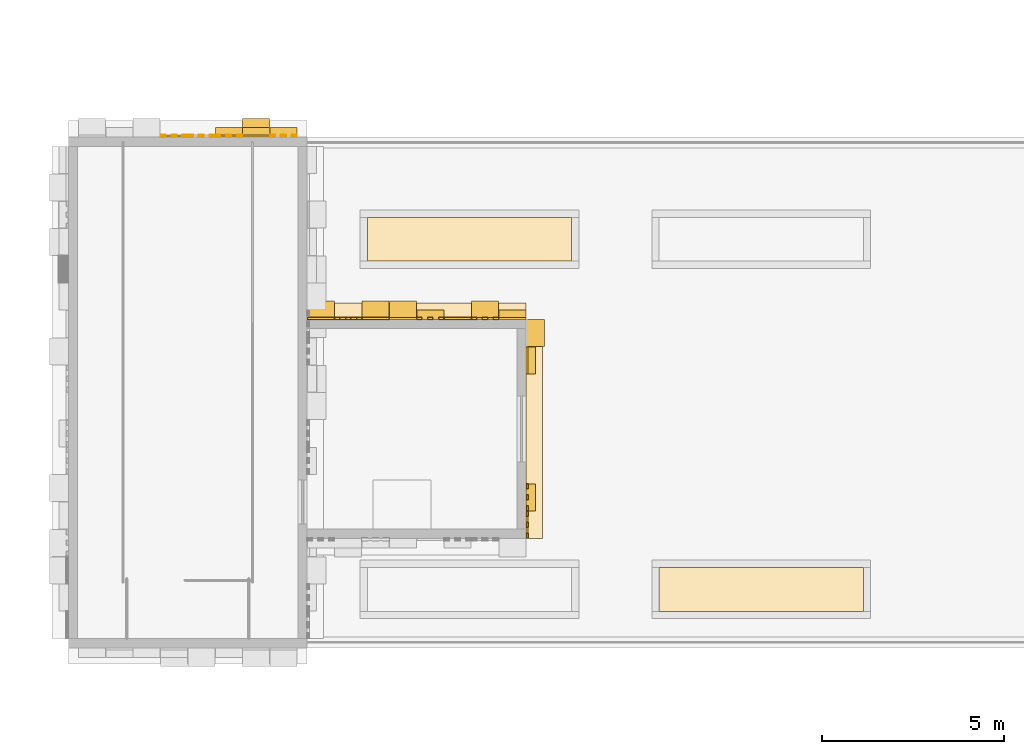
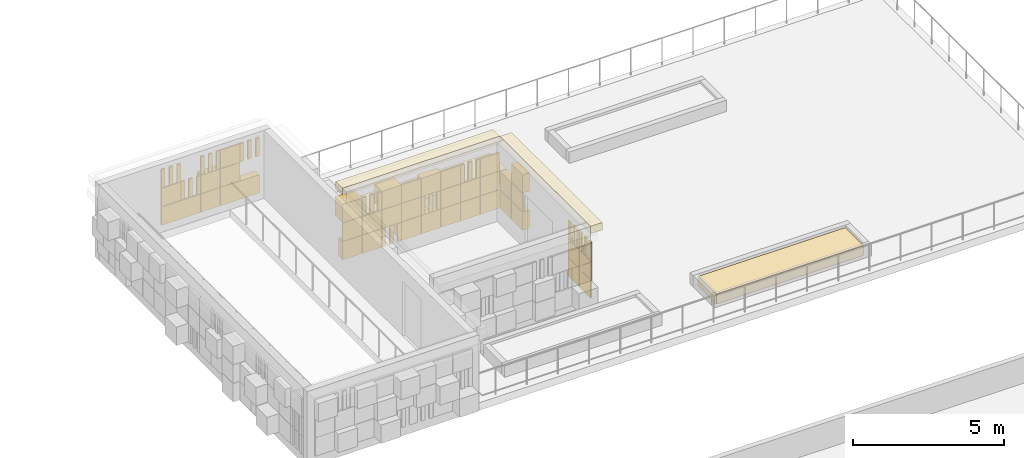
# One storey, part 82 of 98: 18 coverings.
"""IFC4 building model written with IfcOpenShell, lengths in metres."""

from ifc_helpers import new_model, si_unit, direction, frame, origin, origin_2d, place, context, subcontext, project, spatial, polyline, rectangle, outline, extrude, material, layer, layer_set, type_object, element, save


model = new_model("IFC4")

# Units and contexts
model_context = context("Model", 3, precision=1e-05, world=origin(), true_north=direction((0.0, 1.0)))
body_context = subcontext(model_context, "Body", "Model", "MODEL_VIEW")
ifc_project = project(units=[si_unit("LENGTHUNIT", "METRE"), si_unit("AREAUNIT", "SQUARE_METRE"), si_unit("VOLUMEUNIT", "CUBIC_METRE"), si_unit("PLANEANGLEUNIT", "RADIAN"), si_unit("MASSUNIT", "GRAM", prefix="KILO")], contexts=[model_context])

# Site, building, storey
site_placement = place(None, origin())
site = spatial("IfcSite", under=ifc_project, at=site_placement, CompositionType="ELEMENT")
building_placement = place(site_placement, origin())
building = spatial("IfcBuilding", under=site, at=building_placement, Name="Sun Court Science Centre", CompositionType="ELEMENT")
storey_placement = place(building_placement, frame((0.0, 0.0, 15.75)))
storey = spatial("IfcBuildingStorey", under=building, at=storey_placement, Name="L03", CompositionType="ELEMENT", Elevation=15.75)

# Coverings
ifc_material_1 = material(Name="Planting soil and lawn")
ifc_layer_1 = layer(ifc_material_1, 0.199951171875)
ifc_layer_set_1 = layer_set([ifc_layer_1], Name="Planting soil and lawn")
covering_type_1 = type_object("IfcCoveringType", Name="Planting bed 200", PredefinedType="FLOORING", material=ifc_layer_set_1)
covering_1_placement = place(storey_placement, origin())
element("IfcCovering", 1, at=covering_1_placement, inside=storey, type_object=covering_type_1, Name="Roof garden planting bed", PredefinedType="FLOORING", context=body_context, shape_type="SweptSolid", body=[
    extrude(outline(polyline([(44.199951171875, 46.60009765625), (49.800048828125, 46.60009765625), (49.800048828125, 47.800048828125), (44.199951171875, 47.800048828125), (44.199951171875, 46.60009765625)])), origin(), (0.0, 0.0, 1.0), 0.39990234375),
])
covering_2_placement = place(storey_placement, origin())
element("IfcCovering", 2, at=covering_2_placement, inside=storey, type_object=covering_type_1, Name="Roof garden planting bed", PredefinedType="FLOORING", context=body_context, shape_type="SweptSolid", body=[
    extrude(outline(polyline([(52.199951171875, 37.0), (57.800048828125, 37.0), (57.800048828125, 38.199951171875), (52.199951171875, 38.199951171875), (52.199951171875, 37.0)])), origin(), (0.0, 0.0, 1.0), 0.39990234375),
])
ifc_material_2 = material(Name="Terracotta panel", Category="masonry")
ifc_layer_2 = layer(ifc_material_2, 0.449951171875)
ifc_layer_set_2 = layer_set([ifc_layer_2], Name="Terracotta panel")
covering_type_2 = type_object("IfcCoveringType", Name="Terracotta cornice 450", PredefinedType="CLADDING", material=ifc_layer_set_2)
covering_3_placement = place(storey_placement, frame((0.0, 0.0, -15.75)))
element("IfcCovering", 3, at=covering_3_placement, inside=storey, type_object=covering_type_2, Name="Terracotta cornice east party wall L03", PredefinedType="CLADDING", context=body_context, shape_type="SweptSolid", body=[
    extrude(rectangle(XDim=6.0, YDim=0.449951171875, at=origin_2d()), frame((48.77490234375, 42.0, 18.64990234375), z_axis=(0.0, 0.0, 1.0), x_axis=(0.0, -1.0, 0.0)), (0.0, 0.0, 1.0), 0.300048828125),
])
covering_4_placement = place(storey_placement, frame((0.0, 0.0, -15.75)))
element("IfcCovering", 4, at=covering_4_placement, inside=storey, type_object=covering_type_2, Name="Terracotta cornice north wall L03", PredefinedType="CLADDING", context=body_context, shape_type="SweptSolid", body=[
    extrude(rectangle(XDim=6.0, YDim=0.449951171875, at=origin_2d()), frame((45.550048828125, 45.22509765625, 18.64990234375), z_axis=(0.0, 0.0, 1.0), x_axis=(1.0, 0.0, 0.0)), (0.0, 0.0, 1.0), 0.300048828125),
])
ifc_material_3 = material(Name="Terracotta jali", Category="masonry")
ifc_layer_3 = layer(ifc_material_3, 0.06005859375)
ifc_layer_set_3 = layer_set([ifc_layer_3], Name="Terracotta jali")
covering_type_3 = type_object("IfcCoveringType", Name="Terracotta open jali panel", PredefinedType="CLADDING", material=ifc_layer_set_3)
covering_5_placement = place(storey_placement, frame((0.0, 0.0, -15.75)))
element("IfcCovering", 5, at=covering_5_placement, inside=storey, type_object=covering_type_3, Name="Open jali pixel cladding north face of core L03", PredefinedType="CLADDING", context=body_context, shape_type="SweptSolid", body=[
    extrude(rectangle(XDim=0.139892578125, YDim=0.06005859375, at=origin_2d()), frame((39.35009765625, 50.030029296875, 16.580078125), z_axis=(0.0, 0.0, 1.0), x_axis=(1.0, 0.0, 0.0)), (0.0, 0.0, 1.0), 0.739990234375),
    extrude(rectangle(XDim=0.139892578125, YDim=0.06005859375, at=origin_2d()), frame((39.64990234375, 50.030029296875, 16.580078125), z_axis=(0.0, 0.0, 1.0), x_axis=(1.0, 0.0, 0.0)), (0.0, 0.0, 1.0), 0.739990234375),
    extrude(rectangle(XDim=0.139892578125, YDim=0.06005859375, at=origin_2d()), frame((39.949951171875, 50.030029296875, 16.580078125), z_axis=(0.0, 0.0, 1.0), x_axis=(1.0, 0.0, 0.0)), (0.0, 0.0, 1.0), 0.739990234375),
    extrude(rectangle(XDim=0.139892578125, YDim=0.06005859375, at=origin_2d()), frame((38.60009765625, 50.030029296875, 17.330078125), z_axis=(0.0, 0.0, 1.0), x_axis=(1.0, 0.0, 0.0)), (0.0, 0.0, 1.0), 0.739990234375),
    extrude(rectangle(XDim=0.139892578125, YDim=0.06005859375, at=origin_2d()), frame((38.89990234375, 50.030029296875, 17.330078125), z_axis=(0.0, 0.0, 1.0), x_axis=(1.0, 0.0, 0.0)), (0.0, 0.0, 1.0), 0.739990234375),
    extrude(rectangle(XDim=0.139892578125, YDim=0.06005859375, at=origin_2d()), frame((39.199951171875, 50.030029296875, 17.330078125), z_axis=(0.0, 0.0, 1.0), x_axis=(1.0, 0.0, 0.0)), (0.0, 0.0, 1.0), 0.739990234375),
    extrude(rectangle(XDim=0.139892578125, YDim=0.06005859375, at=origin_2d()), frame((40.10009765625, 50.030029296875, 17.330078125), z_axis=(0.0, 0.0, 1.0), x_axis=(1.0, 0.0, 0.0)), (0.0, 0.0, 1.0), 0.739990234375),
    extrude(rectangle(XDim=0.139892578125, YDim=0.06005859375, at=origin_2d()), frame((40.39990234375, 50.030029296875, 17.330078125), z_axis=(0.0, 0.0, 1.0), x_axis=(1.0, 0.0, 0.0)), (0.0, 0.0, 1.0), 0.739990234375),
    extrude(rectangle(XDim=0.139892578125, YDim=0.06005859375, at=origin_2d()), frame((40.699951171875, 50.030029296875, 17.330078125), z_axis=(0.0, 0.0, 1.0), x_axis=(1.0, 0.0, 0.0)), (0.0, 0.0, 1.0), 0.739990234375),
    extrude(rectangle(XDim=0.139892578125, YDim=0.06005859375, at=origin_2d()), frame((41.60009765625, 50.030029296875, 17.330078125), z_axis=(0.0, 0.0, 1.0), x_axis=(1.0, 0.0, 0.0)), (0.0, 0.0, 1.0), 0.739990234375),
    extrude(rectangle(XDim=0.139892578125, YDim=0.06005859375, at=origin_2d()), frame((41.89990234375, 50.030029296875, 17.330078125), z_axis=(0.0, 0.0, 1.0), x_axis=(1.0, 0.0, 0.0)), (0.0, 0.0, 1.0), 0.739990234375),
    extrude(rectangle(XDim=0.139892578125, YDim=0.06005859375, at=origin_2d()), frame((42.199951171875, 50.030029296875, 17.330078125), z_axis=(0.0, 0.0, 1.0), x_axis=(1.0, 0.0, 0.0)), (0.0, 0.0, 1.0), 0.739990234375),
])
covering_6_placement = place(storey_placement, frame((0.0, 0.0, -15.75)))
element("IfcCovering", 6, at=covering_6_placement, inside=storey, type_object=covering_type_3, Name="Open jali pixel cladding east party wall L03", PredefinedType="CLADDING", context=body_context, shape_type="SweptSolid", body=[
    extrude(rectangle(XDim=0.139892578125, YDim=0.06005859375, at=origin_2d()), frame((48.580078125, 40.425048828125, 17.55517578125), z_axis=(0.0, 0.0, 1.0), x_axis=(0.0, -1.0, 0.0)), (0.0, 0.0, 1.0), 0.739990234375),
    extrude(rectangle(XDim=0.139892578125, YDim=0.06005859375, at=origin_2d()), frame((48.580078125, 40.125, 17.55517578125), z_axis=(0.0, 0.0, 1.0), x_axis=(0.0, -1.0, 0.0)), (0.0, 0.0, 1.0), 0.739990234375),
    extrude(rectangle(XDim=0.139892578125, YDim=0.06005859375, at=origin_2d()), frame((48.580078125, 39.824951171875, 17.55517578125), z_axis=(0.0, 0.0, 1.0), x_axis=(0.0, -1.0, 0.0)), (0.0, 0.0, 1.0), 0.739990234375),
    extrude(rectangle(XDim=0.139892578125, YDim=0.06005859375, at=origin_2d()), frame((48.580078125, 39.675048828125, 17.55517578125), z_axis=(0.0, 0.0, 1.0), x_axis=(0.0, -1.0, 0.0)), (0.0, 0.0, 1.0), 0.739990234375),
    extrude(rectangle(XDim=0.139892578125, YDim=0.06005859375, at=origin_2d()), frame((48.580078125, 39.375, 17.55517578125), z_axis=(0.0, 0.0, 1.0), x_axis=(0.0, -1.0, 0.0)), (0.0, 0.0, 1.0), 0.739990234375),
    extrude(rectangle(XDim=0.139892578125, YDim=0.06005859375, at=origin_2d()), frame((48.580078125, 39.074951171875, 17.55517578125), z_axis=(0.0, 0.0, 1.0), x_axis=(0.0, -1.0, 0.0)), (0.0, 0.0, 1.0), 0.739990234375),
])
covering_7_placement = place(storey_placement, frame((0.0, 0.0, -15.75)))
element("IfcCovering", 7, at=covering_7_placement, inside=storey, type_object=covering_type_3, Name="Open jali pixel cladding north wall L03", PredefinedType="CLADDING", context=body_context, shape_type="SweptSolid", body=[
    extrude(rectangle(XDim=0.139892578125, YDim=0.06005859375, at=origin_2d()), frame((44.125, 45.030029296875, 16.05517578125), z_axis=(0.0, 0.0, 1.0), x_axis=(1.0, 0.0, 0.0)), (0.0, 0.0, 1.0), 0.739990234375),
    extrude(rectangle(XDim=0.139892578125, YDim=0.06005859375, at=origin_2d()), frame((44.425048828125, 45.030029296875, 16.05517578125), z_axis=(0.0, 0.0, 1.0), x_axis=(1.0, 0.0, 0.0)), (0.0, 0.0, 1.0), 0.739990234375),
    extrude(rectangle(XDim=0.139892578125, YDim=0.06005859375, at=origin_2d()), frame((44.72509765625, 45.030029296875, 16.05517578125), z_axis=(0.0, 0.0, 1.0), x_axis=(1.0, 0.0, 0.0)), (0.0, 0.0, 1.0), 0.739990234375),
    extrude(rectangle(XDim=0.139892578125, YDim=0.06005859375, at=origin_2d()), frame((45.625, 45.030029296875, 16.80517578125), z_axis=(0.0, 0.0, 1.0), x_axis=(1.0, 0.0, 0.0)), (0.0, 0.0, 1.0), 0.739990234375),
    extrude(rectangle(XDim=0.139892578125, YDim=0.06005859375, at=origin_2d()), frame((45.925048828125, 45.030029296875, 16.80517578125), z_axis=(0.0, 0.0, 1.0), x_axis=(1.0, 0.0, 0.0)), (0.0, 0.0, 1.0), 0.739990234375),
    extrude(rectangle(XDim=0.139892578125, YDim=0.06005859375, at=origin_2d()), frame((46.22509765625, 45.030029296875, 16.80517578125), z_axis=(0.0, 0.0, 1.0), x_axis=(1.0, 0.0, 0.0)), (0.0, 0.0, 1.0), 0.739990234375),
    extrude(rectangle(XDim=0.139892578125, YDim=0.06005859375, at=origin_2d()), frame((43.375, 45.030029296875, 17.55517578125), z_axis=(0.0, 0.0, 1.0), x_axis=(1.0, 0.0, 0.0)), (0.0, 0.0, 1.0), 0.739990234375),
    extrude(rectangle(XDim=0.139892578125, YDim=0.06005859375, at=origin_2d()), frame((43.675048828125, 45.030029296875, 17.55517578125), z_axis=(0.0, 0.0, 1.0), x_axis=(1.0, 0.0, 0.0)), (0.0, 0.0, 1.0), 0.739990234375),
    extrude(rectangle(XDim=0.139892578125, YDim=0.06005859375, at=origin_2d()), frame((43.97509765625, 45.030029296875, 17.55517578125), z_axis=(0.0, 0.0, 1.0), x_axis=(1.0, 0.0, 0.0)), (0.0, 0.0, 1.0), 0.739990234375),
    extrude(rectangle(XDim=0.139892578125, YDim=0.06005859375, at=origin_2d()), frame((47.125, 45.030029296875, 17.55517578125), z_axis=(0.0, 0.0, 1.0), x_axis=(1.0, 0.0, 0.0)), (0.0, 0.0, 1.0), 0.739990234375),
    extrude(rectangle(XDim=0.139892578125, YDim=0.06005859375, at=origin_2d()), frame((47.425048828125, 45.030029296875, 17.55517578125), z_axis=(0.0, 0.0, 1.0), x_axis=(1.0, 0.0, 0.0)), (0.0, 0.0, 1.0), 0.739990234375),
    extrude(rectangle(XDim=0.139892578125, YDim=0.06005859375, at=origin_2d()), frame((47.72509765625, 45.030029296875, 17.55517578125), z_axis=(0.0, 0.0, 1.0), x_axis=(1.0, 0.0, 0.0)), (0.0, 0.0, 1.0), 0.739990234375),
    extrude(rectangle(XDim=0.739990234375, YDim=0.06005859375, at=origin_2d()), frame((43.675048828125, 45.030029296875, 16.05517578125), z_axis=(0.0, 0.0, 1.0), x_axis=(1.0, 0.0, 0.0)), (0.0, 0.0, 1.0), 0.739990234375),
])
ifc_material_4 = material(Name="Terracotta shade 1", Category="masonry")
ifc_layer_4 = layer(ifc_material_4, 0.06005859375)
ifc_layer_set_4 = layer_set([ifc_layer_4], Name="Terracotta shade 1")
covering_type_4 = type_object("IfcCoveringType", Name="Terracotta pixel panel shade 1", PredefinedType="CLADDING", material=ifc_layer_set_4)
covering_8_placement = place(storey_placement, frame((0.0, 0.0, -15.75)))
element("IfcCovering", 8, at=covering_8_placement, inside=storey, type_object=covering_type_4, Name="Terracotta pixel cladding shade 1 north face of core L03", PredefinedType="CLADDING", context=body_context, shape_type="SweptSolid", body=[
    extrude(rectangle(XDim=0.739990234375, YDim=0.06005859375, at=origin_2d()), frame((38.89990234375, 50.030029296875, 15.830078125), z_axis=(0.0, 0.0, 1.0), x_axis=(1.0, 0.0, 0.0)), (0.0, 0.0, 1.0), 0.739990234375),
    extrude(rectangle(XDim=0.739990234375, YDim=0.06005859375, at=origin_2d()), frame((39.64990234375, 50.030029296875, 15.830078125), z_axis=(0.0, 0.0, 1.0), x_axis=(1.0, 0.0, 0.0)), (0.0, 0.0, 1.0), 0.739990234375),
    extrude(rectangle(XDim=0.739990234375, YDim=0.510009765625, at=origin_2d()), frame((41.14990234375, 50.2548828125, 15.830078125), z_axis=(0.0, 0.0, 1.0), x_axis=(1.0, 0.0, 0.0)), (0.0, 0.0, 1.0), 0.739990234375),
    extrude(rectangle(XDim=0.739990234375, YDim=0.260009765625, at=origin_2d()), frame((41.89990234375, 50.1298828125, 15.830078125), z_axis=(0.0, 0.0, 1.0), x_axis=(1.0, 0.0, 0.0)), (0.0, 0.0, 1.0), 0.739990234375),
    extrude(rectangle(XDim=0.739990234375, YDim=0.06005859375, at=origin_2d()), frame((38.89990234375, 50.030029296875, 16.580078125), z_axis=(0.0, 0.0, 1.0), x_axis=(1.0, 0.0, 0.0)), (0.0, 0.0, 1.0), 0.739990234375),
    extrude(rectangle(XDim=0.739990234375, YDim=0.260009765625, at=origin_2d()), frame((40.39990234375, 50.1298828125, 16.580078125), z_axis=(0.0, 0.0, 1.0), x_axis=(1.0, 0.0, 0.0)), (0.0, 0.0, 1.0), 0.739990234375),
])
covering_9_placement = place(storey_placement, frame((0.0, 0.0, -15.75)))
element("IfcCovering", 9, at=covering_9_placement, inside=storey, type_object=covering_type_4, Name="Terracotta pixel cladding shade 1 east party wall L03", PredefinedType="CLADDING", context=body_context, shape_type="SweptSolid", body=[
    extrude(rectangle(XDim=0.739990234375, YDim=0.260009765625, at=origin_2d()), frame((48.679931640625, 43.875, 16.05517578125), z_axis=(0.0, 0.0, 1.0), x_axis=(0.0, -1.0, 0.0)), (0.0, 0.0, 1.0), 0.739990234375),
    extrude(rectangle(XDim=0.739990234375, YDim=0.260009765625, at=origin_2d()), frame((48.679931640625, 44.625, 16.80517578125), z_axis=(0.0, 0.0, 1.0), x_axis=(0.0, -1.0, 0.0)), (0.0, 0.0, 1.0), 0.739990234375),
    extrude(rectangle(XDim=0.739990234375, YDim=0.06005859375, at=origin_2d()), frame((48.580078125, 39.375, 16.80517578125), z_axis=(0.0, 0.0, 1.0), x_axis=(0.0, -1.0, 0.0)), (0.0, 0.0, 1.0), 0.739990234375),
    extrude(rectangle(XDim=0.739990234375, YDim=0.06005859375, at=origin_2d()), frame((48.580078125, 39.375, 16.05517578125), z_axis=(0.0, 0.0, 1.0), x_axis=(0.0, -1.0, 0.0)), (0.0, 0.0, 1.0), 0.739990234375),
])
covering_10_placement = place(storey_placement, frame((0.0, 0.0, -15.75)))
element("IfcCovering", 10, at=covering_10_placement, inside=storey, type_object=covering_type_4, Name="Terracotta pixel cladding shade 1 north wall L03", PredefinedType="CLADDING", context=body_context, shape_type="SweptSolid", body=[
    extrude(rectangle(XDim=0.739990234375, YDim=0.260009765625, at=origin_2d()), frame((45.925048828125, 45.1298828125, 16.05517578125), z_axis=(0.0, 0.0, 1.0), x_axis=(1.0, 0.0, 0.0)), (0.0, 0.0, 1.0), 0.739990234375),
    extrude(rectangle(XDim=0.739990234375, YDim=0.510009765625, at=origin_2d()), frame((47.425048828125, 45.2548828125, 16.05517578125), z_axis=(0.0, 0.0, 1.0), x_axis=(1.0, 0.0, 0.0)), (0.0, 0.0, 1.0), 0.739990234375),
    extrude(rectangle(XDim=0.739990234375, YDim=0.06005859375, at=origin_2d()), frame((43.675048828125, 45.030029296875, 16.80517578125), z_axis=(0.0, 0.0, 1.0), x_axis=(1.0, 0.0, 0.0)), (0.0, 0.0, 1.0), 0.739990234375),
    extrude(rectangle(XDim=0.739990234375, YDim=0.06005859375, at=origin_2d()), frame((48.175048828125, 45.030029296875, 16.80517578125), z_axis=(0.0, 0.0, 1.0), x_axis=(1.0, 0.0, 0.0)), (0.0, 0.0, 1.0), 0.739990234375),
    extrude(rectangle(XDim=0.739990234375, YDim=0.510009765625, at=origin_2d()), frame((42.925048828125, 45.2548828125, 17.55517578125), z_axis=(0.0, 0.0, 1.0), x_axis=(1.0, 0.0, 0.0)), (0.0, 0.0, 1.0), 0.739990234375),
    extrude(rectangle(XDim=0.739990234375, YDim=0.510009765625, at=origin_2d()), frame((44.425048828125, 45.2548828125, 17.55517578125), z_axis=(0.0, 0.0, 1.0), x_axis=(1.0, 0.0, 0.0)), (0.0, 0.0, 1.0), 0.739990234375),
    extrude(rectangle(XDim=0.739990234375, YDim=0.260009765625, at=origin_2d()), frame((48.175048828125, 45.1298828125, 16.05517578125), z_axis=(0.0, 0.0, 1.0), x_axis=(1.0, 0.0, 0.0)), (0.0, 0.0, 1.0), 0.739990234375),
    extrude(rectangle(XDim=0.739990234375, YDim=0.260009765625, at=origin_2d()), frame((42.925048828125, 45.1298828125, 16.05517578125), z_axis=(0.0, 0.0, 1.0), x_axis=(1.0, 0.0, 0.0)), (0.0, 0.0, 1.0), 0.739990234375),
])
ifc_material_5 = material(Name="Terracotta shade 2", Category="masonry")
ifc_layer_5 = layer(ifc_material_5, 0.06005859375)
ifc_layer_set_5 = layer_set([ifc_layer_5], Name="Terracotta shade 2")
covering_type_5 = type_object("IfcCoveringType", Name="Terracotta pixel panel shade 2", PredefinedType="CLADDING", material=ifc_layer_set_5)
covering_11_placement = place(storey_placement, frame((0.0, 0.0, -15.75)))
element("IfcCovering", 11, at=covering_11_placement, inside=storey, type_object=covering_type_5, Name="Terracotta pixel cladding shade 2 east party wall L03", PredefinedType="CLADDING", context=body_context, shape_type="SweptSolid", body=[
    extrude(rectangle(XDim=0.739990234375, YDim=0.06005859375, at=origin_2d()), frame((48.580078125, 43.875, 16.80517578125), z_axis=(0.0, 0.0, 1.0), x_axis=(0.0, -1.0, 0.0)), (0.0, 0.0, 1.0), 0.739990234375),
])
covering_12_placement = place(storey_placement, frame((0.0, 0.0, -15.75)))
element("IfcCovering", 12, at=covering_12_placement, inside=storey, type_object=covering_type_5, Name="Terracotta pixel cladding shade 2 north wall L03", PredefinedType="CLADDING", context=body_context, shape_type="SweptSolid", body=[
    extrude(rectangle(XDim=0.739990234375, YDim=0.510009765625, at=origin_2d()), frame((45.175048828125, 45.2548828125, 16.05517578125), z_axis=(0.0, 0.0, 1.0), x_axis=(1.0, 0.0, 0.0)), (0.0, 0.0, 1.0), 0.739990234375),
    extrude(rectangle(XDim=0.739990234375, YDim=0.06005859375, at=origin_2d()), frame((47.425048828125, 45.030029296875, 16.80517578125), z_axis=(0.0, 0.0, 1.0), x_axis=(1.0, 0.0, 0.0)), (0.0, 0.0, 1.0), 0.739990234375),
    extrude(rectangle(XDim=0.739990234375, YDim=0.06005859375, at=origin_2d()), frame((45.175048828125, 45.030029296875, 17.55517578125), z_axis=(0.0, 0.0, 1.0), x_axis=(1.0, 0.0, 0.0)), (0.0, 0.0, 1.0), 0.739990234375),
    extrude(rectangle(XDim=0.739990234375, YDim=0.06005859375, at=origin_2d()), frame((46.675048828125, 45.030029296875, 17.55517578125), z_axis=(0.0, 0.0, 1.0), x_axis=(1.0, 0.0, 0.0)), (0.0, 0.0, 1.0), 0.739990234375),
])
ifc_material_6 = material(Name="Terracotta shade 3", Category="masonry")
ifc_layer_6 = layer(ifc_material_6, 0.06005859375)
ifc_layer_set_6 = layer_set([ifc_layer_6], Name="Terracotta shade 3")
covering_type_6 = type_object("IfcCoveringType", Name="Terracotta pixel panel shade 3", PredefinedType="CLADDING", material=ifc_layer_set_6)
covering_13_placement = place(storey_placement, frame((0.0, 0.0, -15.75)))
element("IfcCovering", 13, at=covering_13_placement, inside=storey, type_object=covering_type_6, Name="Terracotta pixel cladding shade 3 east party wall L03", PredefinedType="CLADDING", context=body_context, shape_type="SweptSolid", body=[
    extrude(rectangle(XDim=0.739990234375, YDim=0.260009765625, at=origin_2d()), frame((48.679931640625, 40.125, 16.80517578125), z_axis=(0.0, 0.0, 1.0), x_axis=(0.0, -1.0, 0.0)), (0.0, 0.0, 1.0), 0.739990234375),
    extrude(rectangle(XDim=0.739990234375, YDim=0.260009765625, at=origin_2d()), frame((48.679931640625, 43.875, 17.55517578125), z_axis=(0.0, 0.0, 1.0), x_axis=(0.0, -1.0, 0.0)), (0.0, 0.0, 1.0), 0.739990234375),
])
covering_14_placement = place(storey_placement, frame((0.0, 0.0, -15.75)))
element("IfcCovering", 14, at=covering_14_placement, inside=storey, type_object=covering_type_6, Name="Terracotta pixel cladding shade 3 north wall L03", PredefinedType="CLADDING", context=body_context, shape_type="SweptSolid", body=[
    extrude(rectangle(XDim=0.739990234375, YDim=0.06005859375, at=origin_2d()), frame((46.675048828125, 45.030029296875, 16.05517578125), z_axis=(0.0, 0.0, 1.0), x_axis=(1.0, 0.0, 0.0)), (0.0, 0.0, 1.0), 0.739990234375),
    extrude(rectangle(XDim=0.739990234375, YDim=0.260009765625, at=origin_2d()), frame((45.925048828125, 45.1298828125, 17.55517578125), z_axis=(0.0, 0.0, 1.0), x_axis=(1.0, 0.0, 0.0)), (0.0, 0.0, 1.0), 0.739990234375),
    extrude(rectangle(XDim=0.739990234375, YDim=0.06005859375, at=origin_2d()), frame((48.175048828125, 45.030029296875, 17.55517578125), z_axis=(0.0, 0.0, 1.0), x_axis=(1.0, 0.0, 0.0)), (0.0, 0.0, 1.0), 0.739990234375),
])
ifc_material_7 = material(Name="Terracotta shade 4", Category="masonry")
ifc_layer_7 = layer(ifc_material_7, 0.06005859375)
ifc_layer_set_7 = layer_set([ifc_layer_7], Name="Terracotta shade 4")
covering_type_7 = type_object("IfcCoveringType", Name="Terracotta pixel panel shade 4", PredefinedType="CLADDING", material=ifc_layer_set_7)
covering_15_placement = place(storey_placement, frame((0.0, 0.0, -15.75)))
element("IfcCovering", 15, at=covering_15_placement, inside=storey, type_object=covering_type_7, Name="Terracotta pixel cladding shade 4 north face of core L03", PredefinedType="CLADDING", context=body_context, shape_type="SweptSolid", body=[
    extrude(rectangle(XDim=0.739990234375, YDim=0.06005859375, at=origin_2d()), frame((40.39990234375, 50.030029296875, 15.830078125), z_axis=(0.0, 0.0, 1.0), x_axis=(1.0, 0.0, 0.0)), (0.0, 0.0, 1.0), 0.739990234375),
    extrude(rectangle(XDim=0.739990234375, YDim=0.260009765625, at=origin_2d()), frame((41.14990234375, 50.1298828125, 16.580078125), z_axis=(0.0, 0.0, 1.0), x_axis=(1.0, 0.0, 0.0)), (0.0, 0.0, 1.0), 0.739990234375),
    extrude(rectangle(XDim=0.739990234375, YDim=0.06005859375, at=origin_2d()), frame((41.14990234375, 50.030029296875, 17.330078125), z_axis=(0.0, 0.0, 1.0), x_axis=(1.0, 0.0, 0.0)), (0.0, 0.0, 1.0), 0.739990234375),
])
covering_16_placement = place(storey_placement, frame((0.0, 0.0, -15.75)))
element("IfcCovering", 16, at=covering_16_placement, inside=storey, type_object=covering_type_7, Name="Terracotta pixel cladding shade 4 east party wall L03", PredefinedType="CLADDING", context=body_context, shape_type="SweptSolid", body=[
    extrude(rectangle(XDim=0.739990234375, YDim=0.510009765625, at=origin_2d()), frame((48.804931640625, 44.625, 16.05517578125), z_axis=(0.0, 0.0, 1.0), x_axis=(0.0, -1.0, 0.0)), (0.0, 0.0, 1.0), 0.739990234375),
    extrude(rectangle(XDim=0.739990234375, YDim=0.06005859375, at=origin_2d()), frame((48.580078125, 40.125, 16.05517578125), z_axis=(0.0, 0.0, 1.0), x_axis=(0.0, -1.0, 0.0)), (0.0, 0.0, 1.0), 0.739990234375),
])
covering_17_placement = place(storey_placement, frame((0.0, 0.0, -15.75)))
element("IfcCovering", 17, at=covering_17_placement, inside=storey, type_object=covering_type_7, Name="Terracotta pixel cladding shade 4 north wall L03", PredefinedType="CLADDING", context=body_context, shape_type="SweptSolid", body=[
    extrude(rectangle(XDim=0.739990234375, YDim=0.06005859375, at=origin_2d()), frame((42.925048828125, 45.030029296875, 16.80517578125), z_axis=(0.0, 0.0, 1.0), x_axis=(1.0, 0.0, 0.0)), (0.0, 0.0, 1.0), 0.739990234375),
    extrude(rectangle(XDim=0.739990234375, YDim=0.06005859375, at=origin_2d()), frame((44.425048828125, 45.030029296875, 16.80517578125), z_axis=(0.0, 0.0, 1.0), x_axis=(1.0, 0.0, 0.0)), (0.0, 0.0, 1.0), 0.739990234375),
    extrude(rectangle(XDim=0.739990234375, YDim=0.06005859375, at=origin_2d()), frame((46.675048828125, 45.030029296875, 16.80517578125), z_axis=(0.0, 0.0, 1.0), x_axis=(1.0, 0.0, 0.0)), (0.0, 0.0, 1.0), 0.739990234375),
])
ifc_material_8 = material(Name="Terracotta shade 5", Category="masonry")
ifc_layer_8 = layer(ifc_material_8, 0.06005859375)
ifc_layer_set_8 = layer_set([ifc_layer_8], Name="Terracotta shade 5")
covering_type_8 = type_object("IfcCoveringType", Name="Terracotta pixel panel shade 5", PredefinedType="CLADDING", material=ifc_layer_set_8)
covering_18_placement = place(storey_placement, frame((0.0, 0.0, -15.75)))
element("IfcCovering", 18, at=covering_18_placement, inside=storey, type_object=covering_type_8, Name="Terracotta pixel cladding shade 5 north wall L03", PredefinedType="CLADDING", context=body_context, shape_type="SweptSolid", body=[
    extrude(rectangle(XDim=0.739990234375, YDim=0.06005859375, at=origin_2d()), frame((45.175048828125, 45.030029296875, 16.80517578125), z_axis=(0.0, 0.0, 1.0), x_axis=(1.0, 0.0, 0.0)), (0.0, 0.0, 1.0), 0.739990234375),
])

save(model, "model.ifc")
